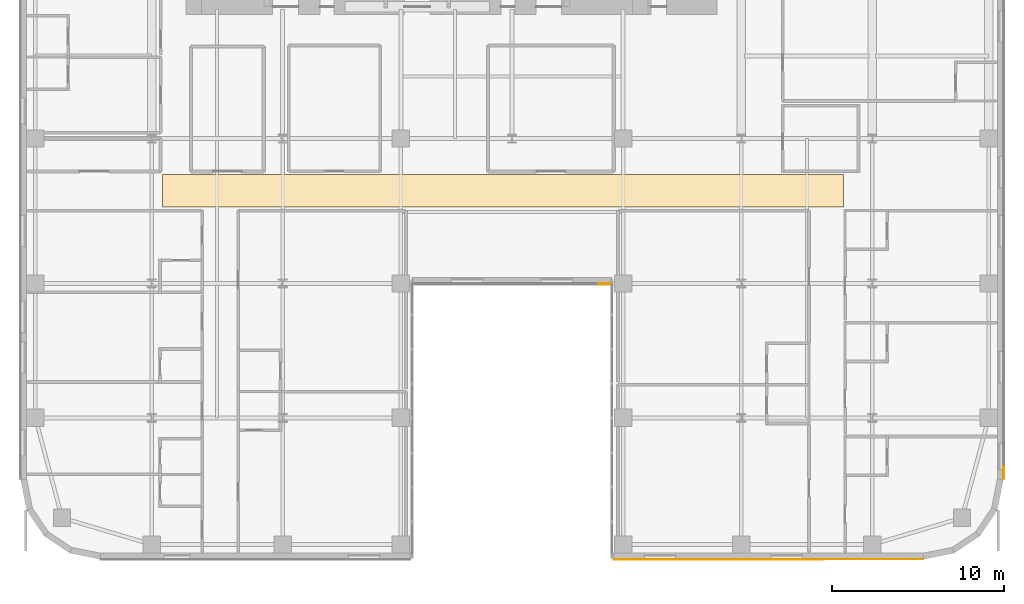
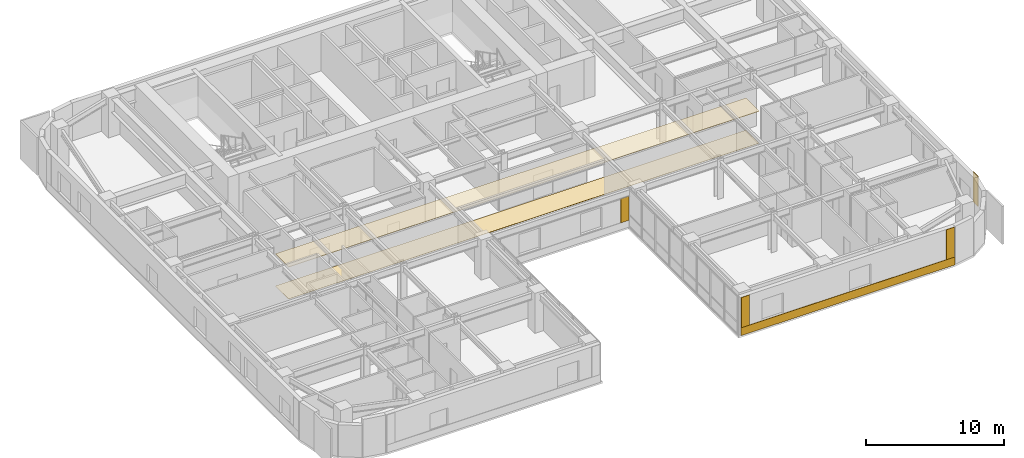
# One storey, part 21 of 25: 7 coverings.
"""IFC4 building model written with IfcOpenShell, lengths in metres."""

from ifc_helpers import new_model, si_unit, direction, frame, origin, place, context, subcontext, project, spatial, polyline, outline, extrude, material, layer, layer_set, type_object, element, save


model = new_model("IFC4")

# Units and contexts
model_context = context("Model", 3, precision=1e-05, world=origin(), true_north=direction((0.0, 1.0)))
body_context = subcontext(model_context, "Body", "Model", "MODEL_VIEW")
ifc_project = project(units=[si_unit("LENGTHUNIT", "METRE"), si_unit("AREAUNIT", "SQUARE_METRE"), si_unit("VOLUMEUNIT", "CUBIC_METRE"), si_unit("PLANEANGLEUNIT", "RADIAN"), si_unit("MASSUNIT", "GRAM", prefix="KILO")], contexts=[model_context])

# Site, building, storey
site_placement = place(None, origin())
site = spatial("IfcSite", under=ifc_project, at=site_placement, CompositionType="ELEMENT")
building_placement = place(site_placement, origin())
building = spatial("IfcBuilding", under=site, at=building_placement, Name="Tolvann Quenvar Hotel", CompositionType="ELEMENT")
storey_placement = place(building_placement, frame((0.0, 0.0, 60.39990234375)))
storey = spatial("IfcBuildingStorey", under=building, at=storey_placement, Name="L14", CompositionType="ELEMENT", Elevation=60.39990234375)

# Coverings
ifc_material_1 = material(Name="Micro-perforated acoustic mineral-fibre and timber-batten suspended ceiling", Category="wood")
ifc_layer_1 = layer(ifc_material_1, 0.0400390625)
ifc_layer_set_1 = layer_set([ifc_layer_1], Name="Micro-perforated acoustic mineral-fibre and timber-batten suspended ceiling")
covering_type_1 = type_object("IfcCoveringType", Name="COV_CEIL_ACOUSTIC_40", PredefinedType="CEILING", material=ifc_layer_set_1)
covering_1_placement = place(storey_placement, frame((0.0, 0.0, 2.830078125)))
element("IfcCovering", 1, at=covering_1_placement, inside=storey, type_object=covering_type_1, Name="Suspended Acoustic Ceiling (Hotel Guest Corridor L14)", PredefinedType="CEILING", context=body_context, shape_type="SweptSolid", body=[
    extrude(outline(polyline([(8.219970703125, 20.419921875), (47.72998046875, 20.419921875), (47.72998046875, 22.330078125), (8.219970703125, 22.330078125), (8.219970703125, 20.419921875)])), origin(), (0.0, 0.0, 1.0), 0.0400390625),
])
ifc_material_2 = material(Name="Kiln-fired red architectural face brick cladding", Category="masonry")
ifc_layer_2 = layer(ifc_material_2, 0.0400390625)
ifc_layer_set_2 = layer_set([ifc_layer_2], Name="Kiln-fired red architectural face brick cladding")
covering_type_2 = type_object("IfcCoveringType", Name="COV_CLAD_BRICK_40", PredefinedType="CLADDING", material=ifc_layer_set_2)
covering_2_placement = place(storey_placement, frame((0.0, 0.0, 0.604736328125)))
element("IfcCovering", 2, at=covering_2_placement, inside=storey, type_object=covering_type_2, Name="Brick Pier Cladding (L14-E06-P2)", PredefinedType="CLADDING", context=body_context, shape_type="SweptSolid", body=[
    extrude(outline(polyline([(33.5400390625, 16.0), (34.239990234375, 16.0), (34.239990234375, 15.9599609375), (33.5400390625, 15.9599609375), (33.5400390625, 16.0)])), origin(), (0.0, 0.0, 1.0), 2.143310546875),
])
covering_3_placement = place(storey_placement, frame((0.0, 0.0, 0.7001953125)))
element("IfcCovering", 3, at=covering_3_placement, inside=storey, type_object=covering_type_2, Name="Brick Pier Cladding (L14-E08-P1)", PredefinedType="CLADDING", context=body_context, shape_type="SweptSolid", body=[
    extrude(outline(polyline([(34.425048828125, 0.0), (35.125, 0.0), (35.125, -0.0400390625), (34.425048828125, -0.0400390625), (34.425048828125, 0.0)])), origin(), (0.0, 0.0, 1.0), 2.669921875),
])
covering_4_placement = place(storey_placement, frame((0.0, 0.0, 0.7001953125)))
element("IfcCovering", 4, at=covering_4_placement, inside=storey, type_object=covering_type_2, Name="Brick Pier Cladding (L14-E08-P2)", PredefinedType="CLADDING", context=body_context, shape_type="SweptSolid", body=[
    extrude(outline(polyline([(51.6328125, 0.0), (52.332763671875, 0.0), (52.332763671875, -0.0400390625), (51.6328125, -0.0400390625), (51.6328125, 0.0)])), origin(), (0.0, 0.0, 1.0), 2.669921875),
])
covering_5_placement = place(storey_placement, frame((0.0, 0.0, 0.7001953125)))
element("IfcCovering", 5, at=covering_5_placement, inside=storey, type_object=covering_type_2, Name="Brick Pier Cladding (L14-E13-P1)", PredefinedType="CLADDING", context=body_context, shape_type="SweptSolid", body=[
    extrude(outline(polyline([(57.0, 4.667236328125), (57.0, 5.3671875), (57.0400390625, 5.3671875), (57.0400390625, 4.667236328125), (57.0, 4.667236328125)])), origin(), (0.0, 0.0, 1.0), 2.669921875),
])
ifc_material_3 = material(Name="Moulded buff architectural terracotta spandrel cladding", Category="masonry")
ifc_layer_3 = layer(ifc_material_3, 0.0400390625)
ifc_layer_set_3 = layer_set([ifc_layer_3], Name="Moulded buff architectural terracotta spandrel cladding")
covering_type_3 = type_object("IfcCoveringType", Name="COV_CLAD_TERRA_40", PredefinedType="CLADDING", material=ifc_layer_set_3)
covering_6_placement = place(storey_placement, origin())
element("IfcCovering", 6, at=covering_6_placement, inside=storey, type_object=covering_type_3, Name="Terracotta Spandrel Cladding (L14-E08)", PredefinedType="CLADDING", context=body_context, shape_type="SweptSolid", body=[
    extrude(outline(polyline([(34.4150390625, 0.0), (52.3427734375, 0.0), (52.3427734375, -0.0400390625), (34.4150390625, -0.0400390625), (34.4150390625, 0.0)])), origin(), (0.0, 0.0, 1.0), 0.7001953125),
])
ifc_material_4 = material(Name="Honed Australian bluestone, terrazzo and engineered oak flooring", Category="masonry")
ifc_layer_4 = layer(ifc_material_4, 0.02001953125)
ifc_layer_set_4 = layer_set([ifc_layer_4], Name="Honed Australian bluestone, terrazzo and engineered oak flooring")
covering_type_4 = type_object("IfcCoveringType", Name="COV_FLOOR_STONE_20", PredefinedType="FLOORING", material=ifc_layer_set_4)
covering_7_placement = place(storey_placement, origin())
element("IfcCovering", 7, at=covering_7_placement, inside=storey, type_object=covering_type_4, Name="Architectural Floor Finish (Hotel Guest Corridor L14)", PredefinedType="FLOORING", context=body_context, shape_type="SweptSolid", body=[
    extrude(outline(polyline([(8.219970703125, 20.419921875), (47.72998046875, 20.419921875), (47.72998046875, 22.330078125), (8.219970703125, 22.330078125), (8.219970703125, 20.419921875)])), origin(), (0.0, 0.0, 1.0), 0.02001953125),
])

save(model, "model.ifc")
